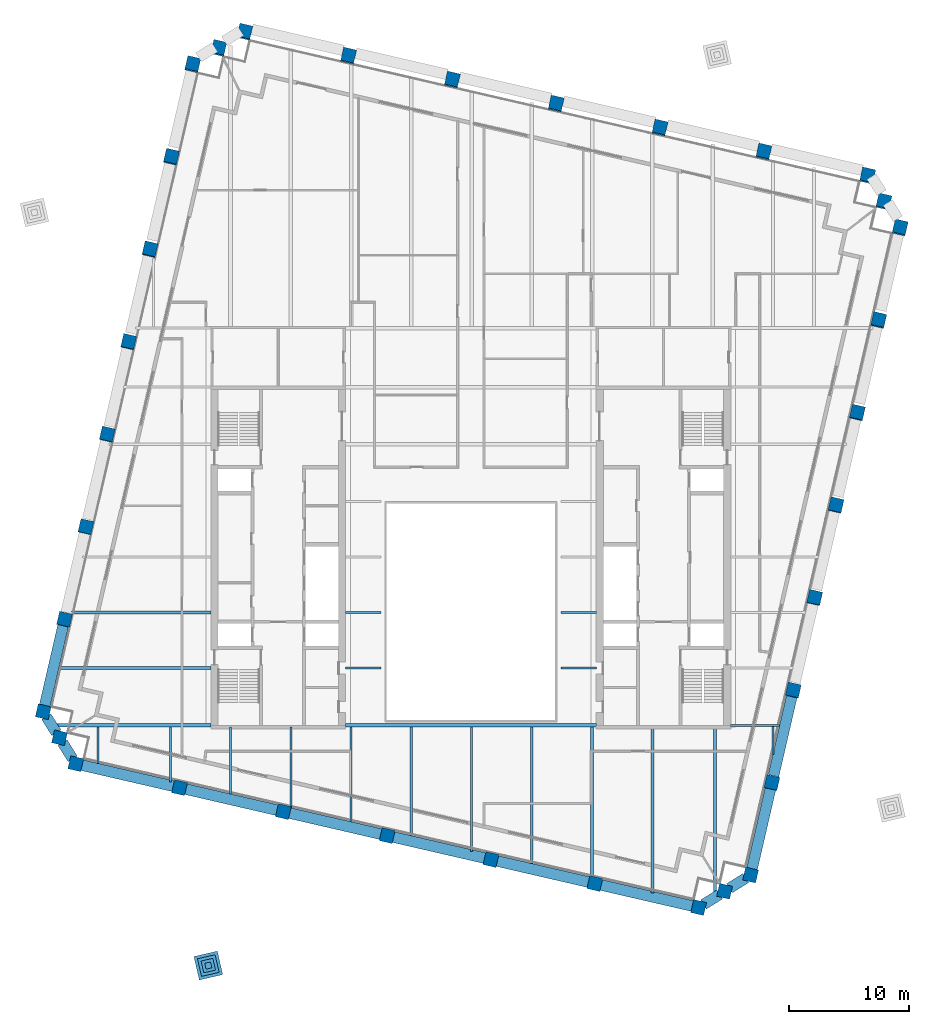
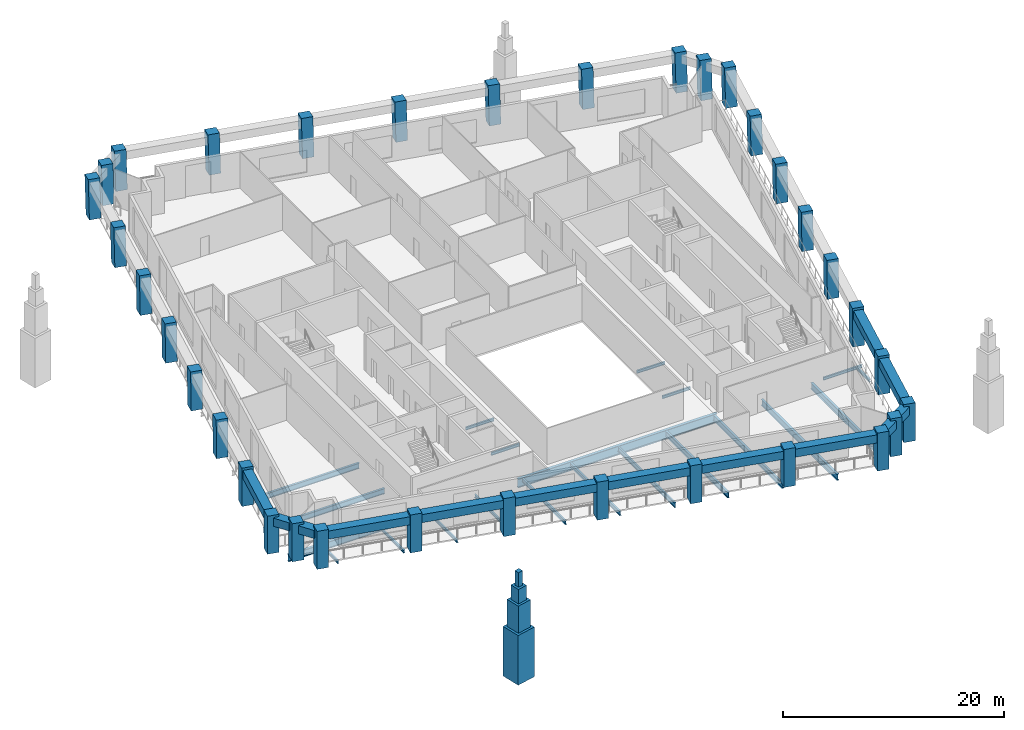
# One storey, part 1 of 9: 34 beams, 34 columns, 4 members.
"""IFC4 building model written with IfcOpenShell, lengths in metres."""

from ifc_helpers import new_model, si_unit, direction, frame, origin, origin_2d, place, context, subcontext, project, spatial, rectangle, i_section, extrude, material, material_profile, profile_set, type_object, element, save


model = new_model("IFC4")

# Units and contexts
model_context = context("Model", 3, precision=1e-05, world=origin(), true_north=direction((0.0, 1.0)))
body_context = subcontext(model_context, "Body", "Model", "MODEL_VIEW")
ifc_project = project(units=[si_unit("LENGTHUNIT", "METRE"), si_unit("AREAUNIT", "SQUARE_METRE"), si_unit("VOLUMEUNIT", "CUBIC_METRE"), si_unit("PLANEANGLEUNIT", "RADIAN"), si_unit("MASSUNIT", "GRAM", prefix="KILO")], contexts=[model_context])

# Site, building, storey
site_placement = place(None, origin())
site = spatial("IfcSite", under=ifc_project, at=site_placement, CompositionType="ELEMENT")
building_placement = place(site_placement, origin())
building = spatial("IfcBuilding", under=site, at=building_placement, Name="Ogive Exchange Tower", CompositionType="ELEMENT")
storey_placement = place(building_placement, frame((0.0, 0.0, 243.0)))
storey = spatial("IfcBuildingStorey", under=building, at=storey_placement, Name="L52", CompositionType="ELEMENT", Elevation=243.0)

# Columns
ifc_material_1 = material(Name="Precast concrete C70/85 (limestone faced)", Category="masonry")
ifc_material_profile_1 = material_profile(ifc_material_1, rectangle(XDim=1.10009765625, YDim=1.10009765625, at=origin_2d()), Name="1100 x 1100")
ifc_profile_set_1 = profile_set([ifc_material_profile_1], Name="Precast concrete C70/85 (limestone faced)")
column_type = type_object("IfcColumnType", Name="Precast exoskeleton leg 1100 x 1100 C70/85", PredefinedType="COLUMN", material=ifc_profile_set_1)
for number, where, z_axis, x_axis, name in (
    (1, (-32.820556640625, -5.635498046875, 0.0), (0.0, 0.0, 1.0), (0.974370064785, -0.224951054344, 0.0), "Exoskeleton leg 1"),
    (2, (-24.197265625, -7.62646484375, 0.0), (0.0, 0.0, 1.0), (0.974370064785, -0.224951054344, 0.0), "Exoskeleton leg 2"),
    (3, (-15.57421875, -9.6171875, 0.0), (0.0, 0.0, 1.0), (0.974370064785, -0.224951054344, 0.0), "Exoskeleton leg 3"),
    (4, (-6.950927734375, -11.60791015625, 0.0), (0.0, 0.0, 1.0), (0.974370064785, -0.224951054344, 0.0), "Exoskeleton leg 4"),
    (5, (1.672119140625, -13.598876953125, 0.0), (0.0, 0.0, 1.0), (0.974370064785, -0.224951054344, 0.0), "Exoskeleton leg 5"),
    (6, (10.29541015625, -15.589599609375, 0.0), (0.0, 0.0, 1.0), (0.974370064785, -0.224951054344, 0.0), "Exoskeleton leg 6"),
    (7, (18.91845703125, -17.58056640625, 0.0), (0.0, 0.0, 1.0), (0.974370064785, -0.224951054344, 0.0), "Exoskeleton leg 7"),
    (8, (23.236083984375, -14.882568359375, 0.0), (0.0, 0.0, 1.0), (0.974370064785, -0.224951054344, 0.0), "Exoskeleton leg 8"),
):
    element("IfcColumn", number, at=place(storey_placement, frame(where, z_axis=z_axis, x_axis=x_axis)), inside=storey, type_object=column_type, Name=name, PredefinedType="COLUMN", context=body_context, shape_type="SweptSolid", body=[
        extrude(rectangle(XDim=1.10009765625, YDim=1.10009765625, at=origin_2d()), origin(), (0.0, 0.0, 1.0), 4.199951171875),
    ])
column_1_placement = place(storey_placement, frame((25.00830078125, -7.20654296875, 0.0), z_axis=(0.002906224189, 0.012671137464, 0.999915494498), x_axis=(-0.974691740237, 0.22355315143, 0.0)))
element("IfcColumn", 9, at=column_1_placement, inside=storey, type_object=column_type, Name="Exoskeleton leg 9", PredefinedType="COLUMN", context=body_context, shape_type="SweptSolid", body=[
    extrude(rectangle(XDim=1.10009765625, YDim=1.10009765625, at=origin_2d()), origin(), (0.0, 0.0, 1.0), 4.2001953125),
])
column_2_placement = place(storey_placement, frame((26.780517578125, 0.469482421875, 0.0), z_axis=(0.005810983994, 0.025277780376, 0.999663576552), x_axis=(-0.974579651079, 0.224041299099, 0.0)))
element("IfcColumn", 10, at=column_2_placement, inside=storey, type_object=column_type, Name="Exoskeleton leg 10", PredefinedType="COLUMN", context=body_context, shape_type="SweptSolid", body=[
    extrude(rectangle(XDim=1.10009765625, YDim=1.10009765625, at=origin_2d()), origin(), (0.0, 0.0, 1.0), 4.201416015625),
])
column_3_placement = place(storey_placement, frame((28.552490234375, 8.1455078125, 0.0), z_axis=(0.008770884695, 0.037929719907, 0.99924191662), x_axis=(-0.974290512438, 0.225295355862, 0.0)))
element("IfcColumn", 11, at=column_3_placement, inside=storey, type_object=column_type, Name="Exoskeleton leg 11", PredefinedType="COLUMN", context=body_context, shape_type="SweptSolid", body=[
    extrude(rectangle(XDim=1.10009765625, YDim=1.10009765625, at=origin_2d()), origin(), (0.0, 0.0, 1.0), 4.203125),
])
column_4_placement = place(storey_placement, frame((30.32470703125, 15.821533203125, 0.0), z_axis=(0.011668267153, 0.050562490995, 0.998652735462), x_axis=(-0.974391195695, 0.224859506699, 0.0)))
element("IfcColumn", 12, at=column_4_placement, inside=storey, type_object=column_type, Name="Exoskeleton leg 12", PredefinedType="COLUMN", context=body_context, shape_type="SweptSolid", body=[
    extrude(rectangle(XDim=1.10009765625, YDim=1.10009765625, at=origin_2d()), origin(), (0.0, 0.0, 1.0), 4.20556640625),
])
column_5_placement = place(storey_placement, frame((32.0966796875, 23.49755859375, 0.0), z_axis=(0.014617836866, 0.063111930596, 0.997899395261), x_axis=(-0.974209784844, 0.225644178107, 0.0)))
element("IfcColumn", 13, at=column_5_placement, inside=storey, type_object=column_type, Name="Exoskeleton leg 13", PredefinedType="COLUMN", context=body_context, shape_type="SweptSolid", body=[
    extrude(rectangle(XDim=1.10009765625, YDim=1.10009765625, at=origin_2d()), origin(), (0.0, 0.0, 1.0), 4.208740234375),
])
column_6_placement = place(storey_placement, frame((33.868896484375, 31.173583984375, 0.0), z_axis=(0.017502025619, 0.075687567741, 0.996977969259), x_axis=(-0.974290512438, 0.225295355862, 0.0)))
element("IfcColumn", 14, at=column_6_placement, inside=storey, type_object=column_type, Name="Exoskeleton leg 14", PredefinedType="COLUMN", context=body_context, shape_type="SweptSolid", body=[
    extrude(rectangle(XDim=1.10009765625, YDim=1.10009765625, at=origin_2d()), origin(), (0.0, 0.0, 1.0), 4.212646484375),
])
for number, where, z_axis, x_axis, name in (
    (15, (35.64111328125, 38.849609375, 0.0), (0.020377597275, 0.088167842757, 0.995897175934), (-0.97431566651, 0.225186549318, 0.0), "Exoskeleton leg 15"),
    (16, (32.943115234375, 43.1669921875, 0.0), (0.020377493232, 0.0882252832, 0.995892091129), (-0.97434807649, 0.225046274885, 0.0), "Exoskeleton leg 16"),
    (17, (24.320068359375, 45.157958984375, 0.0), (0.020377597275, 0.088167842757, 0.995897175934), (-0.97431566651, 0.225186549318, 0.0), "Exoskeleton leg 17"),
    (18, (15.697021484375, 47.148681640625, 0.0), (0.020319626563, 0.088225387128, 0.995893264282), (-0.974488096918, 0.224439187676, 0.0), "Exoskeleton leg 18"),
    (19, (7.07373046875, 49.139404296875, 0.0), (0.020377493232, 0.0882252832, 0.995892091129), (-0.97434807649, 0.225046274885, 0.0), "Exoskeleton leg 19"),
    (20, (-1.549560546875, 51.13037109375, 0.0), (0.020377493232, 0.0882252832, 0.995892091129), (-0.97434807649, 0.225046274885, 0.0), "Exoskeleton leg 20"),
    (21, (-10.172607421875, 53.12109375, 0.0), (0.020319626563, 0.088225387128, 0.995893264282), (-0.974488096918, 0.224439187676, 0.0), "Exoskeleton leg 21"),
    (22, (-18.7958984375, 55.112060546875, 0.0), (0.020377597275, 0.088167842757, 0.995897175934), (-0.97431566651, 0.225186549318, 0.0), "Exoskeleton leg 22"),
    (23, (-23.11328125, 52.4140625, 0.0), (0.020319626563, 0.088225387128, 0.995893264282), (-0.974488096918, 0.224439187676, 0.0), "Exoskeleton leg 23"),
):
    element("IfcColumn", number, at=place(storey_placement, frame(where, z_axis=z_axis, x_axis=x_axis)), inside=storey, type_object=column_type, Name=name, PredefinedType="COLUMN", context=body_context, shape_type="SweptSolid", body=[
        extrude(rectangle(XDim=1.10009765625, YDim=1.10009765625, at=origin_2d()), origin(), (0.0, 0.0, 1.0), 4.21728515625),
    ])
column_7_placement = place(storey_placement, frame((-24.885498046875, 44.738037109375, 0.0), z_axis=(0.017444089556, 0.075687644385, 0.996978978829), x_axis=(-0.974454034257, 0.224587032398, 0.0)))
element("IfcColumn", 24, at=column_7_placement, inside=storey, type_object=column_type, Name="Exoskeleton leg 24", PredefinedType="COLUMN", context=body_context, shape_type="SweptSolid", body=[
    extrude(rectangle(XDim=1.10009765625, YDim=1.10009765625, at=origin_2d()), origin(), (0.0, 0.0, 1.0), 4.212646484375),
])
column_8_placement = place(storey_placement, frame((-26.65771484375, 37.06201171875, 0.0), z_axis=(0.014617783326, 0.063169706518, 0.99789574034), x_axis=(-0.974255315496, 0.225447511024, 0.0)))
element("IfcColumn", 25, at=column_8_placement, inside=storey, type_object=column_type, Name="Exoskeleton leg 25", PredefinedType="COLUMN", context=body_context, shape_type="SweptSolid", body=[
    extrude(rectangle(XDim=1.10009765625, YDim=1.10009765625, at=origin_2d()), origin(), (0.0, 0.0, 1.0), 4.208740234375),
])
column_9_placement = place(storey_placement, frame((-28.4296875, 29.385986328125, 0.0), z_axis=(0.011610223917, 0.050562525159, 0.998653410223), x_axis=(-0.974635787342, 0.223796966095, 0.0)))
element("IfcColumn", 26, at=column_9_placement, inside=storey, type_object=column_type, Name="Exoskeleton leg 26", PredefinedType="COLUMN", context=body_context, shape_type="SweptSolid", body=[
    extrude(rectangle(XDim=1.10009765625, YDim=1.10009765625, at=origin_2d()), origin(), (0.0, 0.0, 1.0), 4.20556640625),
])
column_10_placement = place(storey_placement, frame((-30.201904296875, 21.7099609375, 0.0), z_axis=(0.00871280379, 0.037929739166, 0.999242424008), x_axis=(-0.974617095667, 0.223878352757, 0.0)))
element("IfcColumn", 27, at=column_10_placement, inside=storey, type_object=column_type, Name="Exoskeleton leg 27", PredefinedType="COLUMN", context=body_context, shape_type="SweptSolid", body=[
    extrude(rectangle(XDim=1.10009765625, YDim=1.10009765625, at=origin_2d()), origin(), (0.0, 0.0, 1.0), 4.203125),
])
column_11_placement = place(storey_placement, frame((-31.97412109375, 14.033935546875, 0.0), z_axis=(0.005810975449, 0.025335852957, 0.999662106474), x_axis=(-0.974691740237, 0.22355315143, 0.0)))
element("IfcColumn", 28, at=column_11_placement, inside=storey, type_object=column_type, Name="Exoskeleton leg 28", PredefinedType="COLUMN", context=body_context, shape_type="SweptSolid", body=[
    extrude(rectangle(XDim=1.10009765625, YDim=1.10009765625, at=origin_2d()), origin(), (0.0, 0.0, 1.0), 4.201416015625),
])
column_12_placement = place(storey_placement, frame((-33.746337890625, 6.35791015625, 0.0), z_axis=(0.002964348167, 0.012671135303, 0.9999153239), x_axis=(-0.973709261374, 0.227794368487, 0.0)))
element("IfcColumn", 29, at=column_12_placement, inside=storey, type_object=column_type, Name="Exoskeleton leg 29", PredefinedType="COLUMN", context=body_context, shape_type="SweptSolid", body=[
    extrude(rectangle(XDim=1.10009765625, YDim=1.10009765625, at=origin_2d()), origin(), (0.0, 0.0, 1.0), 4.2001953125),
])
for number, where, z_axis, x_axis, name in (
    (30, (-35.518310546875, -1.318115234375, 0.0), (0.0, 0.0, 1.0), (0.974370064785, -0.224951054344, 0.0), "Exoskeleton leg 30"),
    (31, (21.077392578125, -16.2314453125, 0.0), (0.0, 0.0, 1.0), (0.974370064785, -0.224951054344, 0.0), "Exoskeleton leg 31"),
):
    element("IfcColumn", number, at=place(storey_placement, frame(where, z_axis=z_axis, x_axis=x_axis)), inside=storey, type_object=column_type, Name=name, PredefinedType="COLUMN", context=body_context, shape_type="SweptSolid", body=[
        extrude(rectangle(XDim=1.10009765625, YDim=1.10009765625, at=origin_2d()), origin(), (0.0, 0.0, 1.0), 4.199951171875),
    ])
for number, where, z_axis, x_axis, name in (
    (32, (34.292236328125, 41.00830078125, 0.0), (0.020377493232, 0.0882252832, 0.995892091129), (-0.97434807649, 0.225046274885, 0.0), "Exoskeleton leg 32"),
    (33, (-20.95458984375, 53.762939453125, 0.0), (0.020377493232, 0.0882252832, 0.995892091129), (-0.97434807649, 0.225046274885, 0.0), "Exoskeleton leg 33"),
):
    element("IfcColumn", number, at=place(storey_placement, frame(where, z_axis=z_axis, x_axis=x_axis)), inside=storey, type_object=column_type, Name=name, PredefinedType="COLUMN", context=body_context, shape_type="SweptSolid", body=[
        extrude(rectangle(XDim=1.10009765625, YDim=1.10009765625, at=origin_2d()), origin(), (0.0, 0.0, 1.0), 4.21728515625),
    ])
column_13_placement = place(storey_placement, frame((-34.16943359375, -3.476806640625, 0.0), z_axis=(0.0, 0.0, 1.0), x_axis=(0.974370064785, -0.224951054344, 0.0)))
element("IfcColumn", 34, at=column_13_placement, inside=storey, type_object=column_type, Name="Exoskeleton leg 34", PredefinedType="COLUMN", context=body_context, shape_type="SweptSolid", body=[
    extrude(rectangle(XDim=1.10009765625, YDim=1.10009765625, at=origin_2d()), origin(), (0.0, 0.0, 1.0), 4.199951171875),
])

# Beams
ifc_material_2 = material(Name="Steel ASTM A992 Gr50", Category="steel")
ifc_material_profile_2 = material_profile(ifc_material_2, i_section(OverallWidth=0.1650390625, OverallDepth=0.31005859375, WebThickness=0.005859375, FlangeThickness=0.009765625, at=origin_2d()), Name="W310x38.7")
ifc_profile_set_2 = profile_set([ifc_material_profile_2], Name="Steel ASTM A992 Gr50")
beam_type_1 = type_object("IfcBeamType", Name="Floor beam W310x38.7", PredefinedType="JOIST", material=ifc_profile_set_2)
for number, where, z_axis, x_axis, name in (
    (35, (-10.419921875, 2.3212890625, -0.35498046875), (1.0, 0.0, 0.0), (0.0, 1.0, 0.0), "Floor beam"),
    (36, (7.469970703125, 2.3212890625, -0.35498046875), (1.0, 0.0, 0.0), (0.0, 1.0, 0.0), "Floor beam"),
    (37, (-10.419921875, 6.9326171875, -0.35498046875), (1.0, 0.0, 0.0), (0.0, 1.0, 0.0), "Floor beam"),
    (38, (7.469970703125, 6.9326171875, -0.35498046875), (1.0, 0.0, 0.0), (0.0, 1.0, 0.0), "Floor beam"),
):
    element("IfcBeam", number, at=place(storey_placement, frame(where, z_axis=z_axis, x_axis=x_axis)), inside=storey, type_object=beam_type_1, Name=name, PredefinedType="JOIST", context=body_context, shape_type="SweptSolid", body=[
        extrude(i_section(OverallWidth=0.1650390625, OverallDepth=0.31005859375, WebThickness=0.005859375, FlangeThickness=0.009765625, at=origin_2d()), origin(), (0.0, 0.0, 1.0), 2.949951171875),
    ])
beam_1_placement = place(storey_placement, frame((-30.972900390625, -5.600341796875, -0.35498046875), z_axis=(0.0, 1.0, 0.0), x_axis=(-1.0, 0.0, 0.0)))
element("IfcBeam", 39, at=beam_1_placement, inside=storey, type_object=beam_type_1, Name="Floor beam", PredefinedType="JOIST", context=body_context, shape_type="SweptSolid", body=[
    extrude(i_section(OverallWidth=0.1650390625, OverallDepth=0.31005859375, WebThickness=0.005859375, FlangeThickness=0.009765625, at=origin_2d()), origin(), (0.0, 0.0, 1.0), 3.021728515625),
])
beam_2_placement = place(storey_placement, frame((-24.96728515625, -7.13671875, -0.35498046875), z_axis=(0.0, 1.0, 0.0), x_axis=(-1.0, 0.0, 0.0)))
element("IfcBeam", 40, at=beam_2_placement, inside=storey, type_object=beam_type_1, Name="Floor beam", PredefinedType="JOIST", context=body_context, shape_type="SweptSolid", body=[
    extrude(i_section(OverallWidth=0.1650390625, OverallDepth=0.31005859375, WebThickness=0.005859375, FlangeThickness=0.009765625, at=origin_2d()), origin(), (0.0, 0.0, 1.0), 4.55810546875),
])
beam_3_placement = place(storey_placement, frame((-19.961669921875, -8.142578125, -0.35498046875), z_axis=(0.0, 1.0, 0.0), x_axis=(-1.0, 0.0, 0.0)))
element("IfcBeam", 41, at=beam_3_placement, inside=storey, type_object=beam_type_1, Name="Floor beam", PredefinedType="JOIST", context=body_context, shape_type="SweptSolid", body=[
    extrude(i_section(OverallWidth=0.1650390625, OverallDepth=0.31005859375, WebThickness=0.005859375, FlangeThickness=0.009765625, at=origin_2d()), origin(), (0.0, 0.0, 1.0), 5.54248046875),
])
beam_4_placement = place(storey_placement, frame((25.090087890625, -4.85205078125, -0.35498046875), z_axis=(0.0, 1.0, 0.0), x_axis=(-1.0, 0.0, 0.0)))
element("IfcBeam", 42, at=beam_4_placement, inside=storey, type_object=beam_type_1, Name="Floor beam", PredefinedType="JOIST", context=body_context, shape_type="SweptSolid", body=[
    extrude(i_section(OverallWidth=0.1650390625, OverallDepth=0.31005859375, WebThickness=0.005859375, FlangeThickness=0.009765625, at=origin_2d()), origin(), (0.0, 0.0, 1.0), 2.324462890625),
])
ifc_material_profile_3 = material_profile(ifc_material_2, i_section(OverallWidth=0.1708984375, OverallDepth=0.35595703125, WebThickness=0.00732421875, FlangeThickness=0.01171875, at=origin_2d()), Name="W360x51")
ifc_profile_set_3 = profile_set([ifc_material_profile_3], Name="Steel ASTM A992 Gr50")
beam_type_2 = type_object("IfcBeamType", Name="Floor beam W360x51", PredefinedType="JOIST", material=ifc_profile_set_3)
beam_5_placement = place(storey_placement, frame((-14.955810546875, -9.298095703125, -0.3779296875), z_axis=(0.0, 1.0, 0.0), x_axis=(-1.0, 0.0, 0.0)))
element("IfcBeam", 43, at=beam_5_placement, inside=storey, type_object=beam_type_2, Name="Floor beam", PredefinedType="JOIST", context=body_context, shape_type="SweptSolid", body=[
    extrude(i_section(OverallWidth=0.1708984375, OverallDepth=0.35595703125, WebThickness=0.00732421875, FlangeThickness=0.01171875, at=origin_2d()), origin(), (0.0, 0.0, 1.0), 6.697998046875),
])
ifc_material_profile_4 = material_profile(ifc_material_2, i_section(OverallWidth=0.177978515625, OverallDepth=0.406005859375, WebThickness=0.0078125, FlangeThickness=0.0126953125, at=origin_2d()), Name="W410x60")
ifc_profile_set_4 = profile_set([ifc_material_profile_4], Name="Steel ASTM A992 Gr50")
beam_type_3 = type_object("IfcBeamType", Name="Floor beam W410x60", PredefinedType="JOIST", material=ifc_profile_set_4)
beam_6_placement = place(storey_placement, frame((-9.9501953125, -10.453857421875, -0.403076171875), z_axis=(0.0, 1.0, 0.0), x_axis=(-1.0, 0.0, 0.0)))
element("IfcBeam", 44, at=beam_6_placement, inside=storey, type_object=beam_type_3, Name="Floor beam", PredefinedType="JOIST", context=body_context, shape_type="SweptSolid", body=[
    extrude(i_section(OverallWidth=0.177978515625, OverallDepth=0.406005859375, WebThickness=0.0078125, FlangeThickness=0.0126953125, at=origin_2d()), origin(), (0.0, 0.0, 1.0), 7.85888671875),
])
ifc_material_profile_5 = material_profile(ifc_material_2, i_section(OverallWidth=0.19091796875, OverallDepth=0.45703125, WebThickness=0.009033203125, FlangeThickness=0.014404296875, at=origin_2d()), Name="W460x74")
ifc_profile_set_5 = profile_set([ifc_material_profile_5], Name="Steel ASTM A992 Gr50")
beam_type_4 = type_object("IfcBeamType", Name="Floor beam W460x74", PredefinedType="JOIST", material=ifc_profile_set_5)
beam_7_placement = place(storey_placement, frame((-4.9443359375, -11.609619140625, -0.428466796875), z_axis=(0.0, 1.0, 0.0), x_axis=(-1.0, 0.0, 0.0)))
element("IfcBeam", 45, at=beam_7_placement, inside=storey, type_object=beam_type_4, Name="Floor beam", PredefinedType="JOIST", context=body_context, shape_type="SweptSolid", body=[
    extrude(i_section(OverallWidth=0.19091796875, OverallDepth=0.45703125, WebThickness=0.009033203125, FlangeThickness=0.014404296875, at=origin_2d()), origin(), (0.0, 0.0, 1.0), 9.0146484375),
])
ifc_material_profile_6 = material_profile(ifc_material_2, i_section(OverallWidth=0.1669921875, OverallDepth=0.535888671875, WebThickness=0.01025390625, FlangeThickness=0.0166015625, at=origin_2d()), Name="W530x85")
ifc_profile_set_6 = profile_set([ifc_material_profile_6], Name="Steel ASTM A992 Gr50")
beam_type_5 = type_object("IfcBeamType", Name="Floor beam W530x85", PredefinedType="JOIST", material=ifc_profile_set_6)
beam_8_placement = place(storey_placement, frame((0.061279296875, -12.9150390625, -0.468017578125), z_axis=(0.0, 1.0, 0.0), x_axis=(-1.0, 0.0, 0.0)))
element("IfcBeam", 46, at=beam_8_placement, inside=storey, type_object=beam_type_5, Name="Floor beam", PredefinedType="JOIST", context=body_context, shape_type="SweptSolid", body=[
    extrude(i_section(OverallWidth=0.1669921875, OverallDepth=0.535888671875, WebThickness=0.01025390625, FlangeThickness=0.0166015625, at=origin_2d()), origin(), (0.0, 0.0, 1.0), 10.320068359375),
])
ifc_material_profile_7 = material_profile(ifc_material_2, i_section(OverallWidth=0.22802734375, OverallDepth=0.60205078125, WebThickness=0.010498046875, FlangeThickness=0.014892578125, at=origin_2d()), Name="W610x101")
ifc_profile_set_7 = profile_set([ifc_material_profile_7], Name="Steel ASTM A992 Gr50")
beam_type_6 = type_object("IfcBeamType", Name="Floor beam W610x101", PredefinedType="JOIST", material=ifc_profile_set_7)
beam_9_placement = place(storey_placement, frame((-34.21630859375, 2.3212890625, -0.5009765625), z_axis=(1.0, 0.0, 0.0), x_axis=(0.0, 1.0, 0.0)))
element("IfcBeam", 47, at=beam_9_placement, inside=storey, type_object=beam_type_6, Name="Floor beam", PredefinedType="JOIST", context=body_context, shape_type="SweptSolid", body=[
    extrude(i_section(OverallWidth=0.22802734375, OverallDepth=0.60205078125, WebThickness=0.010498046875, FlangeThickness=0.014892578125, at=origin_2d()), origin(), (0.0, 0.0, 1.0), 12.63623046875),
])
beam_10_placement = place(storey_placement, frame((-33.15185546875, 6.9326171875, -0.5009765625), z_axis=(1.0, 0.0, 0.0), x_axis=(0.0, 1.0, 0.0)))
element("IfcBeam", 48, at=beam_10_placement, inside=storey, type_object=beam_type_6, Name="Floor beam", PredefinedType="JOIST", context=body_context, shape_type="SweptSolid", body=[
    extrude(i_section(OverallWidth=0.22802734375, OverallDepth=0.60205078125, WebThickness=0.010498046875, FlangeThickness=0.014892578125, at=origin_2d()), origin(), (0.0, 0.0, 1.0), 11.57177734375),
])
beam_11_placement = place(storey_placement, frame((5.067138671875, -13.9208984375, -0.5009765625), z_axis=(0.0, 1.0, 0.0), x_axis=(-1.0, 0.0, 0.0)))
element("IfcBeam", 49, at=beam_11_placement, inside=storey, type_object=beam_type_6, Name="Floor beam", PredefinedType="JOIST", context=body_context, shape_type="SweptSolid", body=[
    extrude(i_section(OverallWidth=0.22802734375, OverallDepth=0.60205078125, WebThickness=0.010498046875, FlangeThickness=0.014892578125, at=origin_2d()), origin(), (0.0, 0.0, 1.0), 11.325927734375),
])
beam_12_placement = place(storey_placement, frame((10.07275390625, -15.076416015625, -0.5009765625), z_axis=(0.0, 1.0, 0.0), x_axis=(-1.0, 0.0, 0.0)))
element("IfcBeam", 50, at=beam_12_placement, inside=storey, type_object=beam_type_6, Name="Floor beam", PredefinedType="JOIST", context=body_context, shape_type="SweptSolid", body=[
    extrude(i_section(OverallWidth=0.22802734375, OverallDepth=0.60205078125, WebThickness=0.010498046875, FlangeThickness=0.014892578125, at=origin_2d()), origin(), (0.0, 0.0, 1.0), 12.4814453125),
])
ifc_material_profile_8 = material_profile(ifc_material_2, i_section(OverallWidth=0.25390625, OverallDepth=0.677978515625, WebThickness=0.01171875, FlangeThickness=0.016357421875, at=origin_2d()), Name="W690x125")
ifc_profile_set_8 = profile_set([ifc_material_profile_8], Name="Steel ASTM A992 Gr50")
beam_type_7 = type_object("IfcBeamType", Name="Floor beam W690x125", PredefinedType="JOIST", material=ifc_profile_set_8)
beam_13_placement = place(storey_placement, frame((15.07861328125, -16.382080078125, -0.5390625), z_axis=(0.0, 1.0, 0.0), x_axis=(-1.0, 0.0, 0.0)))
element("IfcBeam", 51, at=beam_13_placement, inside=storey, type_object=beam_type_7, Name="Floor beam", PredefinedType="JOIST", context=body_context, shape_type="SweptSolid", body=[
    extrude(i_section(OverallWidth=0.25390625, OverallDepth=0.677978515625, WebThickness=0.01171875, FlangeThickness=0.016357421875, at=origin_2d()), origin(), (0.0, 0.0, 1.0), 13.781982421875),
])
beam_14_placement = place(storey_placement, frame((20.2841796875, -16.346435546875, -0.5390625), z_axis=(0.0, 1.0, 0.0), x_axis=(-1.0, 0.0, 0.0)))
element("IfcBeam", 52, at=beam_14_placement, inside=storey, type_object=beam_type_7, Name="Floor beam", PredefinedType="JOIST", context=body_context, shape_type="SweptSolid", body=[
    extrude(i_section(OverallWidth=0.25390625, OverallDepth=0.677978515625, WebThickness=0.01171875, FlangeThickness=0.016357421875, at=origin_2d()), origin(), (0.0, 0.0, 1.0), 13.746337890625),
])
ifc_material_profile_9 = material_profile(ifc_material_2, i_section(OverallWidth=0.300048828125, OverallDepth=0.97998046875, WebThickness=0.0166015625, FlangeThickness=0.026123046875, at=origin_2d()), Name="W1000x249")
ifc_profile_set_9 = profile_set([ifc_material_profile_9], Name="Steel ASTM A992 Gr50")
beam_type_8 = type_object("IfcBeamType", Name="Girder W1000x249", PredefinedType="BEAM", material=ifc_profile_set_9)
beam_15_placement = place(storey_placement, frame((-10.419921875, -2.445068359375, -0.68994140625), z_axis=(1.0, 0.0, 0.0), x_axis=(0.0, 1.0, 0.0)))
element("IfcBeam", 53, at=beam_15_placement, inside=storey, type_object=beam_type_8, Name="Header girder", PredefinedType="BEAM", context=body_context, shape_type="SweptSolid", body=[
    extrude(i_section(OverallWidth=0.300048828125, OverallDepth=0.97998046875, WebThickness=0.0166015625, FlangeThickness=0.026123046875, at=origin_2d()), origin(), (0.0, 0.0, 1.0), 20.83984375),
])
ifc_material_profile_10 = material_profile(ifc_material_2, i_section(OverallWidth=0.1650390625, OverallDepth=0.31005859375, WebThickness=0.005859375, FlangeThickness=0.009765625, at=origin_2d()), Name="W310x38.7")
ifc_profile_set_10 = profile_set([ifc_material_profile_10], Name="Steel ASTM A992 Gr50")
beam_type_9 = type_object("IfcBeamType", Name="Girder W310x38.7", PredefinedType="BEAM", material=ifc_profile_set_10)
beam_16_placement = place(storey_placement, frame((21.580078125, -2.445068359375, -0.35498046875), z_axis=(1.0, 0.0, 0.0), x_axis=(0.0, 1.0, 0.0)))
element("IfcBeam", 54, at=beam_16_placement, inside=storey, type_object=beam_type_9, Name="Header girder", PredefinedType="BEAM", context=body_context, shape_type="SweptSolid", body=[
    extrude(i_section(OverallWidth=0.1650390625, OverallDepth=0.31005859375, WebThickness=0.005859375, FlangeThickness=0.009765625, at=origin_2d()), origin(), (0.0, 0.0, 1.0), 4.065673828125),
])
ifc_material_profile_11 = material_profile(ifc_material_2, i_section(OverallWidth=0.26708984375, OverallDepth=0.75390625, WebThickness=0.01318359375, FlangeThickness=0.01708984375, at=origin_2d()), Name="W760x147")
ifc_profile_set_11 = profile_set([ifc_material_profile_11], Name="Steel ASTM A992 Gr50")
beam_type_10 = type_object("IfcBeamType", Name="Girder W760x147", PredefinedType="BEAM", material=ifc_profile_set_11)
beam_17_placement = place(storey_placement, frame((-34.43359375, -2.445068359375, -0.576904296875), z_axis=(1.0, 0.0, 0.0), x_axis=(0.0, 1.0, 0.0)))
element("IfcBeam", 55, at=beam_17_placement, inside=storey, type_object=beam_type_10, Name="Header girder", PredefinedType="BEAM", context=body_context, shape_type="SweptSolid", body=[
    extrude(i_section(OverallWidth=0.26708984375, OverallDepth=0.75390625, WebThickness=0.01318359375, FlangeThickness=0.01708984375, at=origin_2d()), origin(), (0.0, 0.0, 1.0), 12.853515625),
])

# Members
ifc_material_3 = material(Name="Precast concrete C50/60", Category="concrete")
ifc_material_profile_12 = material_profile(ifc_material_3, rectangle(XDim=2.0, YDim=2.0, at=origin_2d()), Name="PINNACLE 1 2000 x 2000")
ifc_profile_set_12 = profile_set([ifc_material_profile_12], Name="Precast concrete C50/60")
member_type_1 = type_object("IfcMemberType", Name="Precast pinnacle stage 1 2000 x 2000 C50/60", PredefinedType="USERDEFINED", material=ifc_profile_set_12)
member_1_placement = place(storey_placement, frame((-21.80810546875, -22.39990234375, -6.0), z_axis=(0.0, 0.0, 1.0), x_axis=(0.974370064785, 0.224951054344, 0.0)))
element("IfcMember", 56, at=member_1_placement, inside=storey, type_object=member_type_1, Name="Head pinnacle 3-4", ObjectType="PINNACLE", PredefinedType="USERDEFINED", context=body_context, shape_type="SweptSolid", body=[
    extrude(rectangle(XDim=2.0, YDim=2.0, at=origin_2d()), origin(), (0.0, 0.0, 1.0), 5.5),
])
ifc_material_profile_13 = material_profile(ifc_material_3, rectangle(XDim=1.5, YDim=1.5, at=origin_2d()), Name="PINNACLE 2 1500 x 1500")
ifc_profile_set_13 = profile_set([ifc_material_profile_13], Name="Precast concrete C50/60")
member_type_2 = type_object("IfcMemberType", Name="Precast pinnacle stage 2 1500 x 1500 C50/60", PredefinedType="USERDEFINED", material=ifc_profile_set_13)
member_2_placement = place(storey_placement, frame((-21.80810546875, -22.39990234375, -0.5), z_axis=(0.0, 0.0, 1.0), x_axis=(0.974370064785, 0.224951054344, 0.0)))
element("IfcMember", 57, at=member_2_placement, inside=storey, type_object=member_type_2, Name="Head pinnacle 3-4 stage 2", ObjectType="PINNACLE", PredefinedType="USERDEFINED", context=body_context, shape_type="SweptSolid", body=[
    extrude(rectangle(XDim=1.5, YDim=1.5, at=origin_2d()), origin(), (0.0, 0.0, 1.0), 3.0),
])
ifc_material_profile_14 = material_profile(ifc_material_3, rectangle(XDim=1.0, YDim=1.0, at=origin_2d()), Name="PINNACLE 3 1000 x 1000")
ifc_profile_set_14 = profile_set([ifc_material_profile_14], Name="Precast concrete C50/60")
member_type_3 = type_object("IfcMemberType", Name="Precast pinnacle stage 3 1000 x 1000 C50/60", PredefinedType="USERDEFINED", material=ifc_profile_set_14)
member_3_placement = place(storey_placement, frame((-21.80810546875, -22.39990234375, 2.5), z_axis=(0.0, 0.0, 1.0), x_axis=(0.974370064785, 0.224951054344, 0.0)))
element("IfcMember", 58, at=member_3_placement, inside=storey, type_object=member_type_3, Name="Head pinnacle 3-4 stage 3", ObjectType="PINNACLE", PredefinedType="USERDEFINED", context=body_context, shape_type="SweptSolid", body=[
    extrude(rectangle(XDim=1.0, YDim=1.0, at=origin_2d()), origin(), (0.0, 0.0, 1.0), 1.60009765625),
])
ifc_material_profile_15 = material_profile(ifc_material_3, rectangle(XDim=0.5, YDim=0.5, at=origin_2d()), Name="PINNACLE 4 500 x 500")
ifc_profile_set_15 = profile_set([ifc_material_profile_15], Name="Precast concrete C50/60")
member_type_4 = type_object("IfcMemberType", Name="Precast pinnacle stage 4 500 x 500 C50/60", PredefinedType="USERDEFINED", material=ifc_profile_set_15)
member_4_placement = place(storey_placement, frame((-21.80810546875, -22.39990234375, 4.10009765625), z_axis=(0.0, 0.0, 1.0), x_axis=(0.974370064785, 0.224951054344, 0.0)))
element("IfcMember", 59, at=member_4_placement, inside=storey, type_object=member_type_4, Name="Head pinnacle 3-4 stage 4", ObjectType="PINNACLE", PredefinedType="USERDEFINED", context=body_context, shape_type="SweptSolid", body=[
    extrude(rectangle(XDim=0.5, YDim=0.5, at=origin_2d()), origin(), (0.0, 0.0, 1.0), 1.599853515625),
])

# Beams
ifc_material_profile_16 = material_profile(ifc_material_1, rectangle(XDim=0.89990234375, YDim=0.89990234375, at=origin_2d()), Name="900 x 900")
ifc_profile_set_16 = profile_set([ifc_material_profile_16], Name="Precast concrete C70/85 (limestone faced)")
beam_type_11 = type_object("IfcBeamType", Name="Precast spandrel 900 x 900 C70/85", PredefinedType="SPANDREL", material=ifc_profile_set_16)
for number, where, z_axis, x_axis, name in (
    (60, (-32.30419921875, -5.7548828125, 3.5), (0.974374818602, -0.224930462307, 0.0), (0.224930462307, 0.974374818602, 0.0), "Spandrel 1"),
    (61, (-23.680908203125, -7.74560546875, 3.5), (0.974367949416, -0.224960216819, 0.0), (0.224960216819, 0.974367949416, 0.0), "Spandrel 2"),
    (62, (-15.0576171875, -9.736328125, 3.5), (0.974367949416, -0.224960216819, 0.0), (0.224960216819, 0.974367949416, 0.0), "Spandrel 3"),
    (63, (-6.4345703125, -11.727294921875, 3.5), (0.974374818602, -0.224930462307, 0.0), (0.224930462307, 0.974374818602, 0.0), "Spandrel 4"),
):
    element("IfcBeam", number, at=place(storey_placement, frame(where, z_axis=z_axis, x_axis=x_axis)), inside=storey, type_object=beam_type_11, Name=name, PredefinedType="SPANDREL", context=body_context, shape_type="SweptSolid", body=[
        extrude(rectangle(XDim=0.89990234375, YDim=0.89990234375, at=origin_2d()), origin(), (0.0, 0.0, 1.0), 7.7900390625),
    ])
beam_18_placement = place(storey_placement, frame((2.188720703125, -13.718017578125, 3.5), z_axis=(0.974366363305, -0.224967086616, 0.0), x_axis=(0.224967086616, 0.974366363305, 0.0)))
element("IfcBeam", 64, at=beam_18_placement, inside=storey, type_object=beam_type_11, Name="Spandrel 5", PredefinedType="SPANDREL", context=body_context, shape_type="SweptSolid", body=[
    extrude(rectangle(XDim=0.89990234375, YDim=0.89990234375, at=origin_2d()), origin(), (0.0, 0.0, 1.0), 7.789794921875),
])
beam_19_placement = place(storey_placement, frame((10.811767578125, -15.708984375, 3.5), z_axis=(0.974374818602, -0.224930462307, 0.0), x_axis=(0.224930462307, 0.974374818602, 0.0)))
element("IfcBeam", 65, at=beam_19_placement, inside=storey, type_object=beam_type_11, Name="Spandrel 6", PredefinedType="SPANDREL", context=body_context, shape_type="SweptSolid", body=[
    extrude(rectangle(XDim=0.89990234375, YDim=0.89990234375, at=origin_2d()), origin(), (0.0, 0.0, 1.0), 7.7900390625),
])
for number, where, z_axis, x_axis, name in (
    (66, (19.32373046875, -17.327392578125, 3.5), (0.84798967817, 0.53001274109, 0.0), (-0.53001274109, 0.84798967817, 0.0), "Spandrel 7"),
    (67, (21.482421875, -15.978271484375, 3.5), (0.848058683477, 0.529902320601, 0.0), (-0.529902320601, 0.848058683477, 0.0), "Spandrel 8"),
):
    element("IfcBeam", number, at=place(storey_placement, frame(where, z_axis=z_axis, x_axis=x_axis)), inside=storey, type_object=beam_type_11, Name=name, PredefinedType="SPANDREL", context=body_context, shape_type="SweptSolid", body=[
        extrude(rectangle(XDim=0.89990234375, YDim=0.89990234375, at=origin_2d()), origin(), (0.0, 0.0, 1.0), 1.590087890625),
    ])
for number, where, z_axis, x_axis, name in (
    (68, (23.355224609375, -14.3662109375, 3.5), (0.224976256744, 0.974364246009, 0.0), (-0.974364246009, 0.224976256744, 0.0), "Spandrel 9"),
    (69, (25.1396484375, -6.636962890625, 3.5), (0.224976256744, 0.974364246009, 0.0), (-0.974364246009, 0.224976256744, 0.0), "Spandrel 10"),
):
    element("IfcBeam", number, at=place(storey_placement, frame(where, z_axis=z_axis, x_axis=x_axis)), inside=storey, type_object=beam_type_11, Name=name, PredefinedType="SPANDREL", context=body_context, shape_type="SweptSolid", body=[
        extrude(rectangle(XDim=0.89990234375, YDim=0.89990234375, at=origin_2d()), origin(), (0.0, 0.0, 1.0), 6.87255859375),
    ])
beam_20_placement = place(storey_placement, frame((-33.853271484375, 5.894775390625, 3.5), z_axis=(-0.224942529948, -0.974372032758, 0.0), x_axis=(0.974372032758, -0.224942529948, 0.0)))
element("IfcBeam", 70, at=beam_20_placement, inside=storey, type_object=beam_type_11, Name="Spandrel 32", PredefinedType="SPANDREL", context=body_context, shape_type="SweptSolid", body=[
    extrude(rectangle(XDim=0.89990234375, YDim=0.89990234375, at=origin_2d()), origin(), (0.0, 0.0, 1.0), 6.872314453125),
])
for number, where, z_axis, x_axis, name in (
    (71, (-35.26513671875, -1.72314453125, 3.5), (0.529902320601, -0.848058683477, 0.0), (0.848058683477, 0.529902320601, 0.0), "Spandrel 33"),
    (72, (-33.916259765625, -3.882080078125, 3.5), (0.529902320601, -0.848058683477, 0.0), (0.848058683477, 0.529902320601, 0.0), "Spandrel 34"),
):
    element("IfcBeam", number, at=place(storey_placement, frame(where, z_axis=z_axis, x_axis=x_axis)), inside=storey, type_object=beam_type_11, Name=name, PredefinedType="SPANDREL", context=body_context, shape_type="SweptSolid", body=[
        extrude(rectangle(XDim=0.89990234375, YDim=0.89990234375, at=origin_2d()), origin(), (0.0, 0.0, 1.0), 1.590087890625),
    ])

save(model, "model.ifc")
